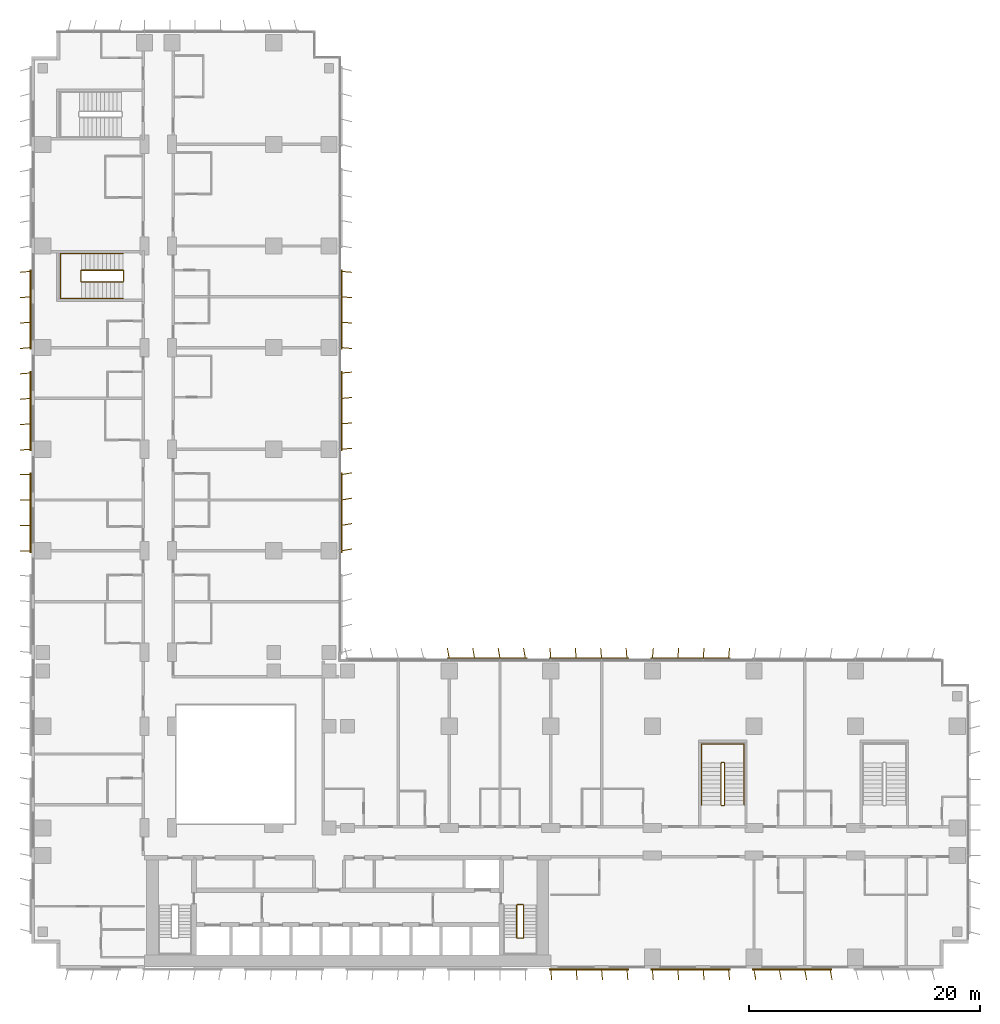
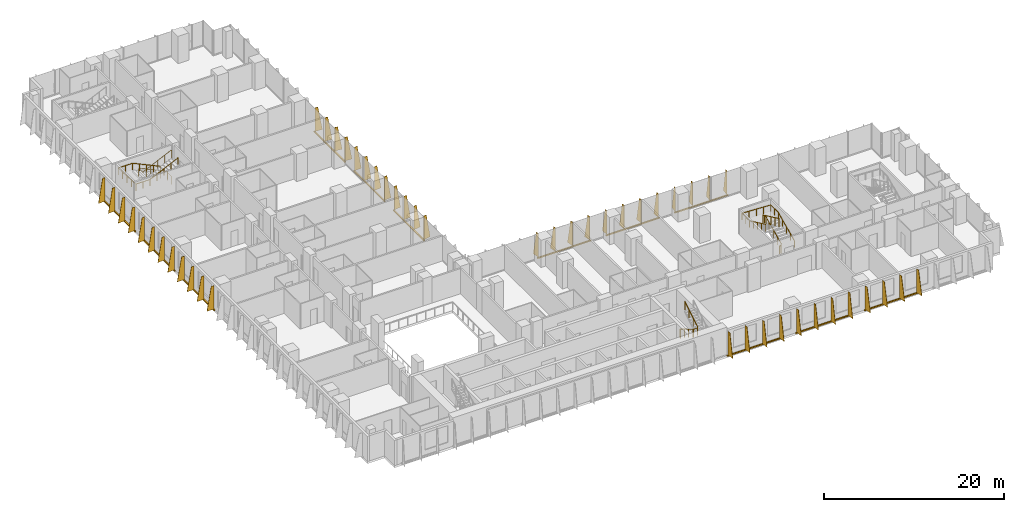
# One storey, part 22 of 24: 12 shading devices, 5 railings.
"""IFC4 building model written with IfcOpenShell, lengths in metres."""

from ifc_helpers import new_model, si_unit, direction, frame, origin, origin_2d, place, context, subcontext, project, spatial, polyline, rectangle, circle, outline, extrude, source, transform, mapped, material, layer, layer_set, type_object, element, save


model = new_model("IFC4")

# Units and contexts
model_context = context("Model", 3, precision=1e-05, world=origin(), true_north=direction((0.0, 1.0)))
body_context = subcontext(model_context, "Body", "Model", "MODEL_VIEW")
ifc_project = project(units=[si_unit("LENGTHUNIT", "METRE"), si_unit("AREAUNIT", "SQUARE_METRE"), si_unit("VOLUMEUNIT", "CUBIC_METRE"), si_unit("PLANEANGLEUNIT", "RADIAN"), si_unit("MASSUNIT", "GRAM", prefix="KILO")], contexts=[model_context])

# Site, building, storey
site_placement = place(None, origin())
site = spatial("IfcSite", under=ifc_project, at=site_placement, CompositionType="ELEMENT")
building_placement = place(site_placement, origin())
building = spatial("IfcBuilding", under=site, at=building_placement, Name="Kemantara Hotel Tower", CompositionType="ELEMENT")
storey_placement = place(building_placement, frame((0.0, 0.0, 63.60009765625)))
storey = spatial("IfcBuildingStorey", under=building, at=storey_placement, Name="L14", CompositionType="ELEMENT", Elevation=63.60009765625)

# Railings
ifc_material_1 = material(Name="Stainless steel balustrade", Category="steel")
railing_type_1 = type_object("IfcRailingType", Name="Stair guard 1100 mm", PredefinedType="GUARDRAIL", material=ifc_material_1)
railing_1_placement = place(storey_placement, frame((42.64990234375, 5.5, 3.699951171875)))
element("IfcRailing", 1, at=railing_1_placement, inside=storey, type_object=railing_type_1, Name="L14 ST2 stair guard 1", PredefinedType="GUARDRAIL", context=body_context, shape_type="SweptSolid", body=[
    extrude(circle(Radius=0.02392578125, at=origin_2d()), frame((0.0, 0.0, 1.076171875), z_axis=(0.0, -0.857242210791, -0.514913383045), x_axis=(1.0, 0.0, 0.0)), (0.0, 0.0, 1.0), 3.266357421875),
    extrude(circle(Radius=0.02392578125, at=origin_2d()), frame((0.0, -2.800048828125, -0.60595703125), z_axis=(-0.273006030465, -0.27434429532, -0.922064485248), x_axis=(0.708833529934, -0.705375805398, 0.0)), (0.0, 0.0, 1.0), 0.182373046875),
    extrude(circle(Radius=0.02392578125, at=origin_2d()), frame((-0.0498046875, -2.85009765625, -0.77392578125), z_axis=(-1.0, 0.0, 0.0), x_axis=(0.0, -1.0, 0.0)), (0.0, 0.0, 1.0), 0.5),
    extrude(circle(Radius=0.02392578125, at=origin_2d()), frame((-0.5498046875, -2.85009765625, -0.77392578125), z_axis=(-0.707106781187, 0.707106781187, 0.0), x_axis=(-0.707106781187, -0.707106781187, 0.0)), (0.0, 0.0, 1.0), 0.07080078125),
    extrude(circle(Radius=0.02392578125, at=origin_2d()), frame((-0.599853515625, -2.800048828125, -0.77392578125), z_axis=(0.0, 0.857242210791, -0.514913383045), x_axis=(-1.0, 0.0, 0.0)), (0.0, 0.0, 1.0), 3.266357421875),
    extrude(circle(Radius=0.02392578125, at=origin_2d()), frame((-0.599853515625, 0.0, -2.4560546875), z_axis=(0.274582412415, 0.274582412415, -0.921525364591), x_axis=(-0.707106781187, 0.707106781187, 0.0)), (0.0, 0.0, 1.0), 0.182373046875),
    extrude(circle(Radius=0.02392578125, at=origin_2d()), frame((-0.5498046875, 0.050048828125, -2.6240234375), z_axis=(1.0, 0.0, 0.0), x_axis=(0.0, 1.0, 0.0)), (0.0, 0.0, 1.0), 0.5),
    extrude(circle(Radius=0.02099609375, at=origin_2d()), origin(), (0.0, 0.0, 1.0), 1.052001953125),
    extrude(circle(Radius=0.02099609375, at=origin_2d()), frame((0.0, -0.933349609375, -0.560546875)), (0.0, 0.0, 1.0), 1.052001953125),
    extrude(circle(Radius=0.02099609375, at=origin_2d()), frame((0.0, -1.86669921875, -1.121337890625)), (0.0, 0.0, 1.0), 1.052001953125),
    extrude(circle(Radius=0.02099609375, at=origin_2d()), frame((0.0, -2.800048828125, -1.681884765625)), (0.0, 0.0, 1.0), 1.052001953125),
    extrude(circle(Radius=0.02099609375, at=origin_2d()), frame((-0.0498046875, -2.85009765625, -1.85009765625)), (0.0, 0.0, 1.0), 1.052001953125),
    extrude(circle(Radius=0.02099609375, at=origin_2d()), frame((-0.5498046875, -2.85009765625, -1.85009765625)), (0.0, 0.0, 1.0), 1.052001953125),
    extrude(circle(Radius=0.02099609375, at=origin_2d()), frame((-0.599853515625, -2.800048828125, -1.85009765625)), (0.0, 0.0, 1.0), 1.052001953125),
    extrude(circle(Radius=0.02099609375, at=origin_2d()), frame((-0.599853515625, -1.86669921875, -2.41064453125)), (0.0, 0.0, 1.0), 1.052001953125),
    extrude(circle(Radius=0.02099609375, at=origin_2d()), frame((-0.599853515625, -0.933349609375, -2.971435546875)), (0.0, 0.0, 1.0), 1.052001953125),
    extrude(circle(Radius=0.02099609375, at=origin_2d()), frame((-0.599853515625, 0.0, -3.531982421875)), (0.0, 0.0, 1.0), 1.052001953125),
    extrude(circle(Radius=0.02099609375, at=origin_2d()), frame((-0.5498046875, 0.050048828125, -3.699951171875)), (0.0, 0.0, 1.0), 1.052001953125),
    extrude(circle(Radius=0.02099609375, at=origin_2d()), frame((-0.0498046875, 0.050048828125, -3.699951171875)), (0.0, 0.0, 1.0), 1.052001953125),
])
railing_2_placement = place(storey_placement, frame((59.75, 14.199951171875, 3.699951171875)))
element("IfcRailing", 2, at=railing_2_placement, inside=storey, type_object=railing_type_1, Name="L14 ST3 stair guard 1", PredefinedType="GUARDRAIL", context=body_context, shape_type="SweptSolid", body=[
    extrude(circle(Radius=0.02392578125, at=origin_2d()), frame((0.0, 0.0, 1.076171875), z_axis=(0.0, 0.906005689286, -0.423265508849), x_axis=(-1.0, 0.0, 0.0)), (0.0, 0.0, 1.0), 3.9736328125),
    extrude(circle(Radius=0.02392578125, at=origin_2d()), frame((0.0, 3.60009765625, -0.60595703125), z_axis=(0.274243871929, 0.274243871929, -0.92172696468), x_axis=(-0.707106781187, 0.707106781187, 0.0)), (0.0, 0.0, 1.0), 0.1826171875),
    extrude(circle(Radius=0.02392578125, at=origin_2d()), frame((0.050048828125, 3.650146484375, -0.77392578125), z_axis=(1.0, 0.0, 0.0), x_axis=(0.0, 1.0, 0.0)), (0.0, 0.0, 1.0), 0.199951171875),
    extrude(circle(Radius=0.02392578125, at=origin_2d()), frame((0.25, 3.650146484375, -0.77392578125), z_axis=(0.707106781187, -0.707106781187, 0.0), x_axis=(0.707106781187, 0.707106781187, 0.0)), (0.0, 0.0, 1.0), 0.07080078125),
    extrude(circle(Radius=0.02392578125, at=origin_2d()), frame((0.300048828125, 3.60009765625, -0.77392578125), z_axis=(0.0, -0.906005689286, -0.423265508849), x_axis=(1.0, 0.0, 0.0)), (0.0, 0.0, 1.0), 3.9736328125),
    extrude(circle(Radius=0.02392578125, at=origin_2d()), frame((0.300048828125, 0.0, -2.4560546875), z_axis=(-0.274582412415, -0.274582412415, -0.921525364591), x_axis=(0.707106781187, -0.707106781187, 0.0)), (0.0, 0.0, 1.0), 0.182373046875),
    extrude(circle(Radius=0.02392578125, at=origin_2d()), frame((0.25, -0.050048828125, -2.6240234375), z_axis=(-1.0, 0.0, 0.0), x_axis=(0.0, -1.0, 0.0)), (0.0, 0.0, 1.0), 0.199951171875),
    extrude(circle(Radius=0.02099609375, at=origin_2d()), origin(), (0.0, 0.0, 1.0), 1.052001953125),
    extrude(circle(Radius=0.02099609375, at=origin_2d()), frame((0.0, 0.89990234375, -0.42041015625)), (0.0, 0.0, 1.0), 1.052001953125),
    extrude(circle(Radius=0.02099609375, at=origin_2d()), frame((0.0, 1.800048828125, -0.8408203125)), (0.0, 0.0, 1.0), 1.052001953125),
    extrude(circle(Radius=0.02099609375, at=origin_2d()), frame((0.0, 2.7001953125, -1.261474609375)), (0.0, 0.0, 1.0), 1.052001953125),
    extrude(circle(Radius=0.02099609375, at=origin_2d()), frame((0.0, 3.60009765625, -1.681884765625)), (0.0, 0.0, 1.0), 1.052001953125),
    extrude(circle(Radius=0.02099609375, at=origin_2d()), frame((0.050048828125, 3.650146484375, -1.85009765625)), (0.0, 0.0, 1.0), 1.052001953125),
    extrude(circle(Radius=0.02099609375, at=origin_2d()), frame((0.25, 3.650146484375, -1.85009765625)), (0.0, 0.0, 1.0), 1.052001953125),
    extrude(circle(Radius=0.02099609375, at=origin_2d()), frame((0.300048828125, 3.60009765625, -1.85009765625)), (0.0, 0.0, 1.0), 1.052001953125),
    extrude(circle(Radius=0.02099609375, at=origin_2d()), frame((0.300048828125, 2.7001953125, -2.2705078125)), (0.0, 0.0, 1.0), 1.052001953125),
    extrude(circle(Radius=0.02099609375, at=origin_2d()), frame((0.300048828125, 1.800048828125, -2.69091796875)), (0.0, 0.0, 1.0), 1.052001953125),
    extrude(circle(Radius=0.02099609375, at=origin_2d()), frame((0.300048828125, 0.89990234375, -3.111572265625)), (0.0, 0.0, 1.0), 1.052001953125),
    extrude(circle(Radius=0.02099609375, at=origin_2d()), frame((0.300048828125, 0.0, -3.531982421875)), (0.0, 0.0, 1.0), 1.052001953125),
    extrude(circle(Radius=0.02099609375, at=origin_2d()), frame((0.25, -0.050048828125, -3.699951171875)), (0.0, 0.0, 1.0), 1.052001953125),
    extrude(circle(Radius=0.02099609375, at=origin_2d()), frame((0.050048828125, -0.050048828125, -3.699951171875)), (0.0, 0.0, 1.0), 1.052001953125),
])
railing_3_placement = place(storey_placement, frame((7.949951171875, 59.5, 3.699951171875)))
element("IfcRailing", 3, at=railing_3_placement, inside=storey, type_object=railing_type_1, Name="L14 ST4 stair guard 1", PredefinedType="GUARDRAIL", context=body_context, shape_type="SweptSolid", body=[
    extrude(circle(Radius=0.02392578125, at=origin_2d()), frame((0.0, 0.0, 1.076171875), z_axis=(-0.905994681025, 0.0, -0.423289071386), x_axis=(0.0, -1.0, 0.0)), (0.0, 0.0, 1.0), 3.973388671875),
    extrude(circle(Radius=0.02392578125, at=origin_2d()), frame((-3.599853515625, 0.0, -0.60595703125), z_axis=(-0.274243871929, 0.274243871929, -0.92172696468), x_axis=(-0.707106781187, -0.707106781187, 0.0)), (0.0, 0.0, 1.0), 0.1826171875),
    extrude(circle(Radius=0.02392578125, at=origin_2d()), frame((-3.64990234375, 0.050048828125, -0.77392578125), z_axis=(0.0, 1.0, 0.0), x_axis=(-1.0, 0.0, 0.0)), (0.0, 0.0, 1.0), 0.89990234375),
    extrude(circle(Radius=0.02392578125, at=origin_2d()), frame((-3.64990234375, 0.949951171875, -0.77392578125), z_axis=(0.707106781187, 0.707106781187, 0.0), x_axis=(-0.707106781187, 0.707106781187, 0.0)), (0.0, 0.0, 1.0), 0.07080078125),
    extrude(circle(Radius=0.02392578125, at=origin_2d()), frame((-3.599853515625, 1.0, -0.77392578125), z_axis=(0.905994681025, 0.0, -0.423289071386), x_axis=(0.0, 1.0, 0.0)), (0.0, 0.0, 1.0), 3.973388671875),
    extrude(circle(Radius=0.02392578125, at=origin_2d()), frame((0.0, 1.0, -2.4560546875), z_axis=(0.274582412415, -0.274582412415, -0.921525364591), x_axis=(0.707106781187, 0.707106781187, 0.0)), (0.0, 0.0, 1.0), 0.182373046875),
    extrude(circle(Radius=0.02392578125, at=origin_2d()), frame((0.050048828125, 0.949951171875, -2.6240234375), z_axis=(0.0, -1.0, 0.0), x_axis=(1.0, 0.0, 0.0)), (0.0, 0.0, 1.0), 0.89990234375),
    extrude(circle(Radius=0.02099609375, at=origin_2d()), origin(), (0.0, 0.0, 1.0), 1.052001953125),
    extrude(circle(Radius=0.02099609375, at=origin_2d()), frame((-0.89990234375, 0.0, -0.42041015625)), (0.0, 0.0, 1.0), 1.052001953125),
    extrude(circle(Radius=0.02099609375, at=origin_2d()), frame((-1.7998046875, 0.0, -0.8408203125)), (0.0, 0.0, 1.0), 1.052001953125),
    extrude(circle(Radius=0.02099609375, at=origin_2d()), frame((-2.699951171875, 0.0, -1.261474609375)), (0.0, 0.0, 1.0), 1.052001953125),
    extrude(circle(Radius=0.02099609375, at=origin_2d()), frame((-3.599853515625, 0.0, -1.681884765625)), (0.0, 0.0, 1.0), 1.052001953125),
    extrude(circle(Radius=0.02099609375, at=origin_2d()), frame((-3.64990234375, 0.050048828125, -1.85009765625)), (0.0, 0.0, 1.0), 1.052001953125),
    extrude(circle(Radius=0.02099609375, at=origin_2d()), frame((-3.64990234375, 0.949951171875, -1.85009765625)), (0.0, 0.0, 1.0), 1.052001953125),
    extrude(circle(Radius=0.02099609375, at=origin_2d()), frame((-3.599853515625, 1.0, -1.85009765625)), (0.0, 0.0, 1.0), 1.052001953125),
    extrude(circle(Radius=0.02099609375, at=origin_2d()), frame((-2.699951171875, 1.0, -2.2705078125)), (0.0, 0.0, 1.0), 1.052001953125),
    extrude(circle(Radius=0.02099609375, at=origin_2d()), frame((-1.7998046875, 1.0, -2.69091796875)), (0.0, 0.0, 1.0), 1.052001953125),
    extrude(circle(Radius=0.02099609375, at=origin_2d()), frame((-0.89990234375, 1.0, -3.111572265625)), (0.0, 0.0, 1.0), 1.052001953125),
    extrude(circle(Radius=0.02099609375, at=origin_2d()), frame((0.0, 1.0, -3.531982421875)), (0.0, 0.0, 1.0), 1.052001953125),
    extrude(circle(Radius=0.02099609375, at=origin_2d()), frame((0.050048828125, 0.949951171875, -3.699951171875)), (0.0, 0.0, 1.0), 1.052001953125),
    extrude(circle(Radius=0.02099609375, at=origin_2d()), frame((0.050048828125, 0.050048828125, -3.699951171875)), (0.0, 0.0, 1.0), 1.052001953125),
])
railing_type_2 = type_object("IfcRailingType", Name="Stair handrail 900 mm", PredefinedType="HANDRAIL", material=ifc_material_1)
railing_4_placement = place(storey_placement, frame((61.75, 14.199951171875, 0.16796875)))
element("IfcRailing", 4, at=railing_4_placement, inside=storey, type_object=railing_type_2, Name="L14 ST3 stair handrail 1", PredefinedType="HANDRAIL", context=body_context, shape_type="SweptSolid", body=[
    extrude(circle(Radius=0.02392578125, at=origin_2d()), frame((0.0, 0.0, 0.8759765625), z_axis=(0.0, 0.906005689286, 0.423265508849), x_axis=(-1.0, 0.0, 0.0)), (0.0, 0.0, 1.0), 3.9736328125),
    extrude(circle(Radius=0.02392578125, at=origin_2d()), frame((0.0, 3.60009765625, 2.5576171875), z_axis=(0.0, 1.0, 0.0), x_axis=(-1.0, 0.0, 0.0)), (0.0, 0.0, 1.0), 1.679931640625),
    extrude(circle(Radius=0.02392578125, at=origin_2d()), frame((0.0, 5.280029296875, 2.5576171875), z_axis=(-0.998968132438, 0.0, 0.045416631029), x_axis=(0.0, -1.0, 0.0)), (0.0, 0.0, 1.0), 3.703857421875),
    extrude(circle(Radius=0.02392578125, at=origin_2d()), frame((-3.699951171875, 5.280029296875, 2.72607421875), z_axis=(0.0, -1.0, 0.0), x_axis=(1.0, 0.0, 0.0)), (0.0, 0.0, 1.0), 1.679931640625),
    extrude(circle(Radius=0.02392578125, at=origin_2d()), frame((-3.699951171875, 3.60009765625, 2.72607421875), z_axis=(0.0, -0.906005689286, 0.423265508849), x_axis=(1.0, 0.0, 0.0)), (0.0, 0.0, 1.0), 3.9736328125),
    extrude(circle(Radius=0.02099609375, at=origin_2d()), origin(), (0.0, 0.0, 1.0), 0.851806640625),
    extrude(circle(Radius=0.02099609375, at=origin_2d()), frame((0.0, 0.89990234375, 0.42041015625)), (0.0, 0.0, 1.0), 0.851806640625),
    extrude(circle(Radius=0.02099609375, at=origin_2d()), frame((0.0, 1.800048828125, 0.8408203125)), (0.0, 0.0, 1.0), 0.851806640625),
    extrude(circle(Radius=0.02099609375, at=origin_2d()), frame((0.0, 2.7001953125, 1.261474609375)), (0.0, 0.0, 1.0), 0.851806640625),
    extrude(circle(Radius=0.02099609375, at=origin_2d()), frame((0.0, 3.60009765625, 1.681884765625)), (0.0, 0.0, 1.0), 0.851806640625),
    extrude(circle(Radius=0.02099609375, at=origin_2d()), frame((0.0, 4.43994140625, 1.681884765625)), (0.0, 0.0, 1.0), 0.851806640625),
    extrude(circle(Radius=0.02099609375, at=origin_2d()), frame((0.0, 5.280029296875, 1.681884765625)), (0.0, 0.0, 1.0), 0.851806640625),
    extrude(circle(Radius=0.02099609375, at=origin_2d()), frame((-0.925048828125, 5.280029296875, 1.723876953125)), (0.0, 0.0, 1.0), 0.851806640625),
    extrude(circle(Radius=0.02099609375, at=origin_2d()), frame((-1.85009765625, 5.280029296875, 1.76611328125)), (0.0, 0.0, 1.0), 0.851806640625),
    extrude(circle(Radius=0.02099609375, at=origin_2d()), frame((-2.77490234375, 5.280029296875, 1.80810546875)), (0.0, 0.0, 1.0), 0.851806640625),
    extrude(circle(Radius=0.02099609375, at=origin_2d()), frame((-3.699951171875, 5.280029296875, 1.85009765625)), (0.0, 0.0, 1.0), 0.851806640625),
    extrude(circle(Radius=0.02099609375, at=origin_2d()), frame((-3.699951171875, 4.43994140625, 1.85009765625)), (0.0, 0.0, 1.0), 0.851806640625),
    extrude(circle(Radius=0.02099609375, at=origin_2d()), frame((-3.699951171875, 3.60009765625, 1.85009765625)), (0.0, 0.0, 1.0), 0.851806640625),
    extrude(circle(Radius=0.02099609375, at=origin_2d()), frame((-3.699951171875, 2.7001953125, 2.2705078125)), (0.0, 0.0, 1.0), 0.851806640625),
    extrude(circle(Radius=0.02099609375, at=origin_2d()), frame((-3.699951171875, 1.800048828125, 2.69091796875)), (0.0, 0.0, 1.0), 0.851806640625),
    extrude(circle(Radius=0.02099609375, at=origin_2d()), frame((-3.699951171875, 0.89990234375, 3.111572265625)), (0.0, 0.0, 1.0), 0.851806640625),
    extrude(circle(Radius=0.02099609375, at=origin_2d()), frame((-3.699951171875, 0.0, 3.531982421875)), (0.0, 0.0, 1.0), 0.851806640625),
])
railing_5_placement = place(storey_placement, frame((7.949951171875, 61.949951171875, 0.16796875)))
element("IfcRailing", 5, at=railing_5_placement, inside=storey, type_object=railing_type_2, Name="L14 ST4 stair handrail 1", PredefinedType="HANDRAIL", context=body_context, shape_type="SweptSolid", body=[
    extrude(circle(Radius=0.02392578125, at=origin_2d()), frame((0.0, 0.0, 0.8759765625), z_axis=(-0.905994681025, 0.0, 0.423289071386), x_axis=(0.0, -1.0, 0.0)), (0.0, 0.0, 1.0), 3.973388671875),
    extrude(circle(Radius=0.02392578125, at=origin_2d()), frame((-3.599853515625, 0.0, 2.5576171875), z_axis=(-1.0, 0.0, 0.0), x_axis=(0.0, -1.0, 0.0)), (0.0, 0.0, 1.0), 1.830078125),
    extrude(circle(Radius=0.02392578125, at=origin_2d()), frame((-5.429931640625, 0.0, 2.5576171875), z_axis=(0.0, -0.999071085748, 0.043092523981), x_axis=(1.0, 0.0, 0.0)), (0.0, 0.0, 1.0), 3.903564453125),
    extrude(circle(Radius=0.02392578125, at=origin_2d()), frame((-5.429931640625, -3.89990234375, 2.72607421875), z_axis=(1.0, 0.0, 0.0), x_axis=(0.0, 1.0, 0.0)), (0.0, 0.0, 1.0), 1.830078125),
    extrude(circle(Radius=0.02392578125, at=origin_2d()), frame((-3.599853515625, -3.89990234375, 2.72607421875), z_axis=(0.905994681025, 0.0, 0.423289071386), x_axis=(0.0, 1.0, 0.0)), (0.0, 0.0, 1.0), 3.973388671875),
    extrude(circle(Radius=0.02099609375, at=origin_2d()), origin(), (0.0, 0.0, 1.0), 0.851806640625),
    extrude(circle(Radius=0.02099609375, at=origin_2d()), frame((-0.89990234375, 0.0, 0.42041015625)), (0.0, 0.0, 1.0), 0.851806640625),
    extrude(circle(Radius=0.02099609375, at=origin_2d()), frame((-1.7998046875, 0.0, 0.8408203125)), (0.0, 0.0, 1.0), 0.851806640625),
    extrude(circle(Radius=0.02099609375, at=origin_2d()), frame((-2.699951171875, 0.0, 1.261474609375)), (0.0, 0.0, 1.0), 0.851806640625),
    extrude(circle(Radius=0.02099609375, at=origin_2d()), frame((-3.599853515625, 0.0, 1.681884765625)), (0.0, 0.0, 1.0), 0.851806640625),
    extrude(circle(Radius=0.02099609375, at=origin_2d()), frame((-4.514892578125, 0.0, 1.681884765625)), (0.0, 0.0, 1.0), 0.851806640625),
    extrude(circle(Radius=0.02099609375, at=origin_2d()), frame((-5.429931640625, 0.0, 1.681884765625)), (0.0, 0.0, 1.0), 0.851806640625),
    extrude(circle(Radius=0.02099609375, at=origin_2d()), frame((-5.429931640625, -0.97509765625, 1.723876953125)), (0.0, 0.0, 1.0), 0.851806640625),
    extrude(circle(Radius=0.02099609375, at=origin_2d()), frame((-5.429931640625, -1.949951171875, 1.76611328125)), (0.0, 0.0, 1.0), 0.851806640625),
    extrude(circle(Radius=0.02099609375, at=origin_2d()), frame((-5.429931640625, -2.9248046875, 1.80810546875)), (0.0, 0.0, 1.0), 0.851806640625),
    extrude(circle(Radius=0.02099609375, at=origin_2d()), frame((-5.429931640625, -3.89990234375, 1.85009765625)), (0.0, 0.0, 1.0), 0.851806640625),
    extrude(circle(Radius=0.02099609375, at=origin_2d()), frame((-4.514892578125, -3.89990234375, 1.85009765625)), (0.0, 0.0, 1.0), 0.851806640625),
    extrude(circle(Radius=0.02099609375, at=origin_2d()), frame((-3.599853515625, -3.89990234375, 1.85009765625)), (0.0, 0.0, 1.0), 0.851806640625),
    extrude(circle(Radius=0.02099609375, at=origin_2d()), frame((-2.699951171875, -3.89990234375, 2.2705078125)), (0.0, 0.0, 1.0), 0.851806640625),
    extrude(circle(Radius=0.02099609375, at=origin_2d()), frame((-1.7998046875, -3.89990234375, 2.69091796875)), (0.0, 0.0, 1.0), 0.851806640625),
    extrude(circle(Radius=0.02099609375, at=origin_2d()), frame((-0.89990234375, -3.89990234375, 3.111572265625)), (0.0, 0.0, 1.0), 0.851806640625),
    extrude(circle(Radius=0.02099609375, at=origin_2d()), frame((0.0, -3.89990234375, 3.531982421875)), (0.0, 0.0, 1.0), 0.851806640625),
])

# Shading devices
ifc_material_2 = material(Name="Perforated aluminium plate 4 mm bronze anodised", Category="aluminium")
ifc_layer_1 = layer(ifc_material_2, 0.0400390625)
ifc_layer_set_1 = layer_set([ifc_layer_1], Name="Perforated aluminium plate 4 mm bronze anodised")
shading_device_type_1 = type_object("IfcShadingDeviceType", Name="SCREEN FIN CASSETTE, 4 BLADES AT -5.0 DEG, 3200 HIGH", PredefinedType="USERDEFINED", material=ifc_layer_set_1)
shared_shape_1 = source(origin(), body_context, "Body", "SweptSolid", [
    extrude(rectangle(XDim=6.89990234375, YDim=0.14990234375, at=origin_2d()), frame((3.300048828125, -0.074951171875, -0.14990234375), z_axis=(0.0, 0.0, 1.0), x_axis=(1.0, 0.0, 0.0)), (0.0, 0.0, 1.0), 0.14990234375),
    extrude(outline(polyline([(0.0, 0.0), (0.89990234375, 0.0), (0.35009765625, 3.199951171875), (0.0, 3.199951171875), (0.0, 0.0)])), frame((0.02001953125, -0.07666015625, 0.0), z_axis=(-0.996376129781, 0.085056498884, 0.0), x_axis=(-0.085056498884, -0.996376129781, 0.0)), (0.0, 0.0, 1.0), 0.040283203125),
    extrude(outline(polyline([(0.0, 0.0), (0.89990234375, 0.0), (0.35009765625, 3.199951171875), (0.0, 3.199951171875), (0.0, 0.0)])), frame((2.219970703125, -0.07666015625, 0.0), z_axis=(-0.996331773833, 0.085574508182, 0.0), x_axis=(-0.085574508182, -0.996331773833, 0.0)), (0.0, 0.0, 1.0), 0.0400390625),
    extrude(outline(polyline([(0.0, 0.0), (0.89990234375, 0.0), (0.35009765625, 3.199951171875), (0.0, 3.199951171875), (0.0, 0.0)])), frame((4.419921875, -0.07666015625, 0.0), z_axis=(-0.996331773833, 0.085574508182, 0.0), x_axis=(-0.085574508182, -0.996331773833, 0.0)), (0.0, 0.0, 1.0), 0.0400390625),
    extrude(outline(polyline([(0.0, 0.0), (0.89990234375, 0.0), (0.35009765625, 3.199951171875), (0.0, 3.199951171875), (0.0, 0.0)])), frame((6.619873046875, -0.07666015625, 0.0), z_axis=(-0.996331773833, 0.085574508182, 0.0), x_axis=(-0.085574508182, -0.996331773833, 0.0)), (0.0, 0.0, 1.0), 0.0400390625),
])
for number, where, z_axis, x_axis, name in (
    (6, (60.39990234375, 26.800048828125, 0.099853515625), (0.0, 0.0, 1.0), (-1.0, 0.0, 0.0), "SCREEN FIN CASSETTE L14 T1-R07-3"),
    (7, (26.800048828125, 53.800048828125, 0.099853515625), (0.0, 0.0, 1.0), (0.0, 1.0, 0.0), "SCREEN FIN CASSETTE L14 T1-R08-4"),
):
    element("IfcShadingDevice", number, at=place(storey_placement, frame(where, z_axis=z_axis, x_axis=x_axis)), inside=storey, type_object=shading_device_type_1, Name=name, ObjectType="SCREEN FIN", PredefinedType="USERDEFINED", context=body_context, shape_type="MappedRepresentation", body=[
        mapped(shared_shape_1, transform((0.0, 0.0, 0.0))),
    ])
ifc_layer_2 = layer(ifc_material_2, 0.0400390625)
ifc_layer_set_2 = layer_set([ifc_layer_2], Name="Perforated aluminium plate 4 mm bronze anodised")
shading_device_type_2 = type_object("IfcShadingDeviceType", Name="SCREEN FIN CASSETTE, 4 BLADES AT +0.0 DEG, 3200 HIGH", PredefinedType="USERDEFINED", material=ifc_layer_set_2)
shared_shape_2 = source(origin(), body_context, "Body", "SweptSolid", [
    extrude(rectangle(XDim=6.89990234375, YDim=0.14990234375, at=origin_2d()), frame((3.300048828125, -0.074951171875, -0.14990234375), z_axis=(0.0, 0.0, 1.0), x_axis=(1.0, 0.0, 0.0)), (0.0, 0.0, 1.0), 0.14990234375),
    extrude(outline(polyline([(0.0, 0.0), (0.89990234375, 0.0), (0.35009765625, 3.199951171875), (0.0, 3.199951171875), (0.0, 0.0)])), frame((0.02001953125, -0.074951171875, 0.0), z_axis=(-1.0, 0.0, 0.0), x_axis=(0.0, -1.0, 0.0)), (0.0, 0.0, 1.0), 0.0400390625),
    extrude(outline(polyline([(0.0, 0.0), (0.89990234375, 0.0), (0.35009765625, 3.199951171875), (0.0, 3.199951171875), (0.0, 0.0)])), frame((2.219970703125, -0.074951171875, 0.0), z_axis=(-1.0, 0.0, 0.0), x_axis=(0.0, -1.0, 0.0)), (0.0, 0.0, 1.0), 0.0400390625),
    extrude(outline(polyline([(0.0, 0.0), (0.89990234375, 0.0), (0.35009765625, 3.199951171875), (0.0, 3.199951171875), (0.0, 0.0)])), frame((4.419921875, -0.074951171875, 0.0), z_axis=(-1.0, 0.0, 0.0), x_axis=(0.0, -1.0, 0.0)), (0.0, 0.0, 1.0), 0.0400390625),
    extrude(outline(polyline([(0.0, 0.0), (0.89990234375, 0.0), (0.35009765625, 3.199951171875), (0.0, 3.199951171875), (0.0, 0.0)])), frame((6.6201171875, -0.074951171875, 0.0), z_axis=(-1.0, 0.0, 0.0), x_axis=(0.0, -1.0, 0.0)), (0.0, 0.0, 1.0), 0.0400390625),
])
shading_device_placement = place(storey_placement, frame((0.0, 42.800048828125, 0.099853515625), z_axis=(0.0, 0.0, 1.0), x_axis=(0.0, -1.0, 0.0)))
element("IfcShadingDevice", 8, at=shading_device_placement, inside=storey, type_object=shading_device_type_2, Name="SCREEN FIN CASSETTE L14 T1-R14-5", ObjectType="SCREEN FIN", PredefinedType="USERDEFINED", context=body_context, shape_type="MappedRepresentation", body=[
    mapped(shared_shape_2, transform((0.0, 0.0, 0.0))),
])
ifc_layer_3 = layer(ifc_material_2, 0.0400390625)
ifc_layer_set_3 = layer_set([ifc_layer_3], Name="Perforated aluminium plate 4 mm bronze anodised")
shading_device_type_3 = type_object("IfcShadingDeviceType", Name="SCREEN FIN CASSETTE, 4 BLADES AT +5.0 DEG, 3200 HIGH", PredefinedType="USERDEFINED", material=ifc_layer_set_3)
shared_shape_3 = source(origin(), body_context, "Body", "SweptSolid", [
    extrude(rectangle(XDim=6.89990234375, YDim=0.14990234375, at=origin_2d()), frame((3.300048828125, -0.074951171875, -0.14990234375), z_axis=(0.0, 0.0, 1.0), x_axis=(1.0, 0.0, 0.0)), (0.0, 0.0, 1.0), 0.14990234375),
    extrude(outline(polyline([(0.0, 0.0), (0.89990234375, 0.0), (0.35009765625, 3.199951171875), (0.0, 3.199951171875), (0.0, 0.0)])), frame((0.02001953125, -0.0732421875, 0.0), z_axis=(-0.996376129781, -0.085056498884, 0.0), x_axis=(0.085056498884, -0.996376129781, 0.0)), (0.0, 0.0, 1.0), 0.040283203125),
    extrude(outline(polyline([(0.0, 0.0), (0.89990234375, 0.0), (0.35009765625, 3.199951171875), (0.0, 3.199951171875), (0.0, 0.0)])), frame((2.219970703125, -0.0732421875, 0.0), z_axis=(-0.996331773833, -0.085574508182, 0.0), x_axis=(0.085574508182, -0.996331773833, 0.0)), (0.0, 0.0, 1.0), 0.0400390625),
    extrude(outline(polyline([(0.0, 0.0), (0.89990234375, 0.0), (0.35009765625, 3.199951171875), (0.0, 3.199951171875), (0.0, 0.0)])), frame((4.419921875, -0.0732421875, 0.0), z_axis=(-0.996331773833, -0.085574508182, 0.0), x_axis=(0.085574508182, -0.996331773833, 0.0)), (0.0, 0.0, 1.0), 0.0400390625),
    extrude(outline(polyline([(0.0, 0.0), (0.89990234375, 0.0), (0.35009765625, 3.199951171875), (0.0, 3.199951171875), (0.0, 0.0)])), frame((6.619873046875, -0.0732421875, 0.0), z_axis=(-0.996331773833, -0.085574508182, 0.0), x_axis=(0.085574508182, -0.996331773833, 0.0)), (0.0, 0.0, 1.0), 0.0400390625),
])
for number, where, z_axis, x_axis, name in (
    (9, (45.0, 0.0, 0.099853515625), (0.0, 0.0, 1.0), (1.0, 0.0, 0.0), "SCREEN FIN CASSETTE L14 T1-R01-6"),
    (10, (53.800048828125, 0.0, 0.099853515625), (0.0, 0.0, 1.0), (1.0, 0.0, 0.0), "SCREEN FIN CASSETTE L14 T1-R01-7"),
    (11, (51.60009765625, 26.800048828125, 0.099853515625), (0.0, 0.0, 1.0), (-1.0, 0.0, 0.0), "SCREEN FIN CASSETTE L14 T1-R07-4"),
    (12, (26.800048828125, 45.0, 0.099853515625), (0.0, 0.0, 1.0), (0.0, 1.0, 0.0), "SCREEN FIN CASSETTE L14 T1-R08-3"),
    (13, (0.0, 60.39990234375, 0.099853515625), (0.0, 0.0, 1.0), (0.0, -1.0, 0.0), "SCREEN FIN CASSETTE L14 T1-R14-3"),
    (14, (0.0, 51.60009765625, 0.099853515625), (0.0, 0.0, 1.0), (0.0, -1.0, 0.0), "SCREEN FIN CASSETTE L14 T1-R14-4"),
):
    element("IfcShadingDevice", number, at=place(storey_placement, frame(where, z_axis=z_axis, x_axis=x_axis)), inside=storey, type_object=shading_device_type_3, Name=name, ObjectType="SCREEN FIN", PredefinedType="USERDEFINED", context=body_context, shape_type="MappedRepresentation", body=[
        mapped(shared_shape_3, transform((0.0, 0.0, 0.0))),
    ])
ifc_layer_4 = layer(ifc_material_2, 0.0400390625)
ifc_layer_set_4 = layer_set([ifc_layer_4], Name="Perforated aluminium plate 4 mm bronze anodised")
shading_device_type_4 = type_object("IfcShadingDeviceType", Name="SCREEN FIN CASSETTE, 4 BLADES AT +10.0 DEG, 3200 HIGH", PredefinedType="USERDEFINED", material=ifc_layer_set_4)
shared_shape_4 = source(origin(), body_context, "Body", "SweptSolid", [
    extrude(rectangle(XDim=6.89990234375, YDim=0.14990234375, at=origin_2d()), frame((3.300048828125, -0.074951171875, -0.14990234375), z_axis=(0.0, 0.0, 1.0), x_axis=(1.0, 0.0, 0.0)), (0.0, 0.0, 1.0), 0.14990234375),
    extrude(outline(polyline([(0.0, 0.0), (0.89990234375, 0.0), (0.35009765625, 3.199951171875), (0.0, 3.199951171875), (0.0, 0.0)])), frame((0.019775390625, -0.071533203125, 0.0), z_axis=(-0.985389793052, -0.170314285219, 0.0), x_axis=(0.170314285219, -0.985389793052, 0.0)), (0.0, 0.0, 1.0), 0.0400390625),
    extrude(outline(polyline([(0.0, 0.0), (0.89990234375, 0.0), (0.35009765625, 3.199951171875), (0.0, 3.199951171875), (0.0, 0.0)])), frame((2.2197265625, -0.071533203125, 0.0), z_axis=(-0.98521175482, -0.171341174751, 0.0), x_axis=(0.171341174751, -0.98521175482, 0.0)), (0.0, 0.0, 1.0), 0.039794921875),
    extrude(outline(polyline([(0.0, 0.0), (0.89990234375, 0.0), (0.35009765625, 3.199951171875), (0.0, 3.199951171875), (0.0, 0.0)])), frame((4.419677734375, -0.071533203125, 0.0), z_axis=(-0.98521175482, -0.171341174751, 0.0), x_axis=(0.171341174751, -0.98521175482, 0.0)), (0.0, 0.0, 1.0), 0.039794921875),
    extrude(outline(polyline([(0.0, 0.0), (0.89990234375, 0.0), (0.35009765625, 3.199951171875), (0.0, 3.199951171875), (0.0, 0.0)])), frame((6.61962890625, -0.071533203125, 0.0), z_axis=(-0.98521175482, -0.171341174751, 0.0), x_axis=(0.171341174751, -0.98521175482, 0.0)), (0.0, 0.0, 1.0), 0.039794921875),
])
for number, where, z_axis, x_axis, name in (
    (15, (62.60009765625, 0.0, 0.099853515625), (0.0, 0.0, 1.0), (1.0, 0.0, 0.0), "SCREEN FIN CASSETTE L14 T1-R01-8"),
    (16, (42.800048828125, 26.800048828125, 0.099853515625), (0.0, 0.0, 1.0), (-1.0, 0.0, 0.0), "SCREEN FIN CASSETTE L14 T1-R07-5"),
    (17, (26.800048828125, 36.199951171875, 0.099853515625), (0.0, 0.0, 1.0), (0.0, 1.0, 0.0), "SCREEN FIN CASSETTE L14 T1-R08-2"),
):
    element("IfcShadingDevice", number, at=place(storey_placement, frame(where, z_axis=z_axis, x_axis=x_axis)), inside=storey, type_object=shading_device_type_4, Name=name, ObjectType="SCREEN FIN", PredefinedType="USERDEFINED", context=body_context, shape_type="MappedRepresentation", body=[
        mapped(shared_shape_4, transform((0.0, 0.0, 0.0))),
    ])

save(model, "model.ifc")
